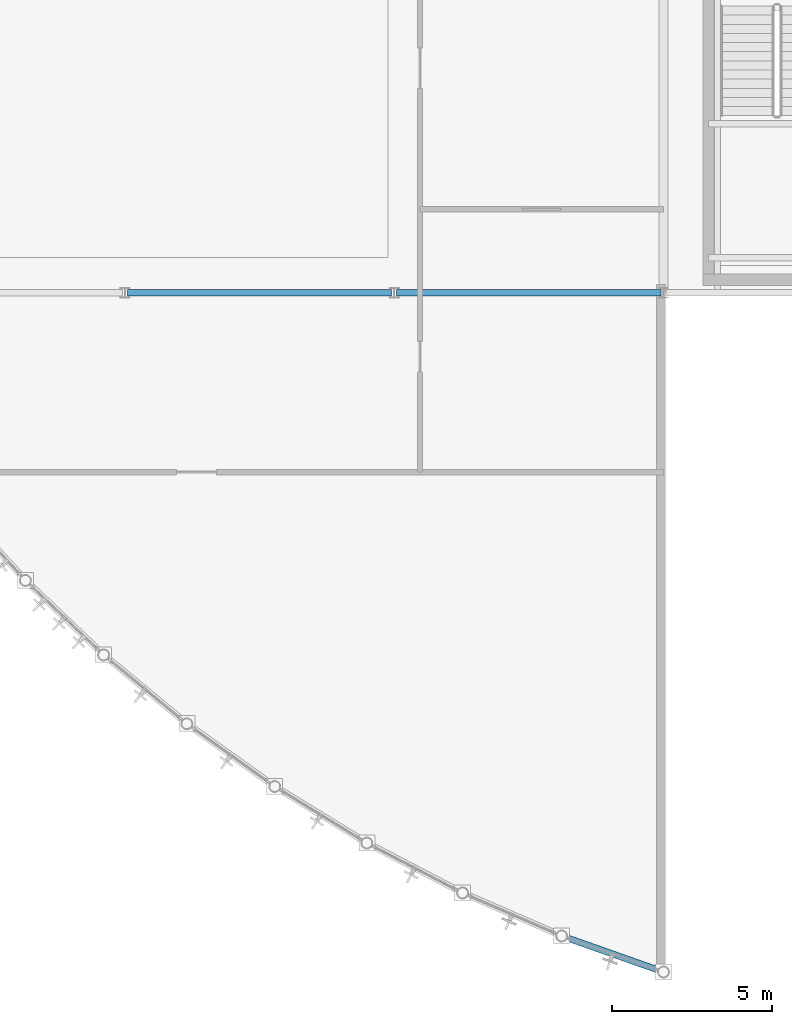
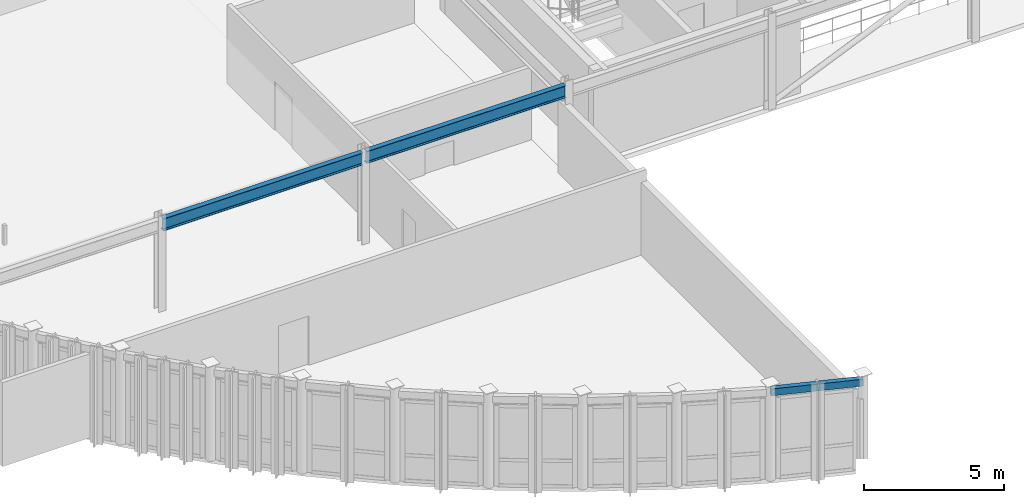
# One storey, part 10 of 26: 3 beams.
"""IFC4 building model written with IfcOpenShell, lengths in metres."""

from ifc_helpers import new_model, si_unit, direction, frame, origin, origin_2d, place, context, subcontext, project, spatial, hollow_rectangle, i_section, extrude, material, material_profile, profile_set, type_object, element, save


model = new_model("IFC4")

# Units and contexts
model_context = context("Model", 3, precision=1e-05, world=origin(), true_north=direction((0.0, 1.0)))
body_context = subcontext(model_context, "Body", "Model", "MODEL_VIEW")
ifc_project = project(units=[si_unit("LENGTHUNIT", "METRE"), si_unit("AREAUNIT", "SQUARE_METRE"), si_unit("VOLUMEUNIT", "CUBIC_METRE"), si_unit("PLANEANGLEUNIT", "RADIAN"), si_unit("MASSUNIT", "GRAM", prefix="KILO")], contexts=[model_context])

# Site, building, storey
site_placement = place(None, origin())
site = spatial("IfcSite", under=ifc_project, at=site_placement, CompositionType="ELEMENT")
building_placement = place(site_placement, origin())
building = spatial("IfcBuilding", under=site, at=building_placement, Name="Selat Folded Stagehouse", CompositionType="ELEMENT")
storey_placement = place(building_placement, frame((0.0, 0.0, 23.39990234375)))
storey = spatial("IfcBuildingStorey", under=building, at=storey_placement, Name="L05", CompositionType="ELEMENT", Elevation=23.39990234375)

# Beams
ifc_material = material(Name="Steel S355", Category="steel")
ifc_material_profile_1 = material_profile(ifc_material, i_section(OverallWidth=0.209228515625, OverallDepth=0.533203125, WebThickness=0.010009765625, FlangeThickness=0.015625, FilletRadius=0.0126953125, at=origin_2d()), Name="UKB 533x210x92")
ifc_profile_set_1 = profile_set([ifc_material_profile_1], Name="Steel S355")
beam_type_1 = type_object("IfcBeamType", Name="BM-GIRD-533x210x92", PredefinedType="BEAM", material=ifc_profile_set_1)
beam_1_placement = place(storey_placement, frame((16.8798828125, 23.39990234375, 3.70849609375), z_axis=(1.0, 0.0, 0.0), x_axis=(0.0, 1.0, 0.0)))
element("IfcBeam", 1, at=beam_1_placement, inside=storey, type_object=beam_type_1, Name="L05 primary x-girder 1420", PredefinedType="BEAM", context=body_context, shape_type="SweptSolid", body=[
    extrude(i_section(OverallWidth=0.209228515625, OverallDepth=0.533203125, WebThickness=0.010009765625, FlangeThickness=0.015625, FilletRadius=0.0126953125, at=origin_2d()), origin(), (0.0, 0.0, 1.0), 8.240234375),
])
beam_2_placement = place(storey_placement, frame((25.280029296875, 23.39990234375, 3.70849609375), z_axis=(1.0, 0.0, 0.0), x_axis=(0.0, 1.0, 0.0)))
element("IfcBeam", 2, at=beam_2_placement, inside=storey, type_object=beam_type_1, Name="L05 primary x-girder 1421", PredefinedType="BEAM", context=body_context, shape_type="SweptSolid", body=[
    extrude(i_section(OverallWidth=0.209228515625, OverallDepth=0.533203125, WebThickness=0.010009765625, FlangeThickness=0.015625, FilletRadius=0.0126953125, at=origin_2d()), origin(), (0.0, 0.0, 1.0), 8.239990234375),
])
ifc_material_profile_2 = material_profile(ifc_material, hollow_rectangle(XDim=0.199951171875, YDim=0.300048828125, WallThickness=0.012451171875, at=origin_2d()), Name="RHS 300x200x12.5")
ifc_profile_set_2 = profile_set([ifc_material_profile_2], Name="Steel S355")
beam_type_2 = type_object("IfcBeamType", Name="SPD-RHS-300x200", PredefinedType="SPANDREL", material=ifc_profile_set_2)
beam_3_placement = place(storey_placement, frame((30.423583984375, 3.333740234375, 3.8251953125), z_axis=(0.942833706296, -0.333263562774, 0.0), x_axis=(0.333263562774, 0.942833706296, 0.0)))
element("IfcBeam", 3, at=beam_3_placement, inside=storey, type_object=beam_type_2, Name="L05 curved drum spandrel beam 20", PredefinedType="SPANDREL", context=body_context, shape_type="SweptSolid", body=[
    extrude(hollow_rectangle(XDim=0.199951171875, YDim=0.300048828125, WallThickness=0.012451171875, at=origin_2d()), origin(), (0.0, 0.0, 1.0), 3.369140625),
])

save(model, "model.ifc")
